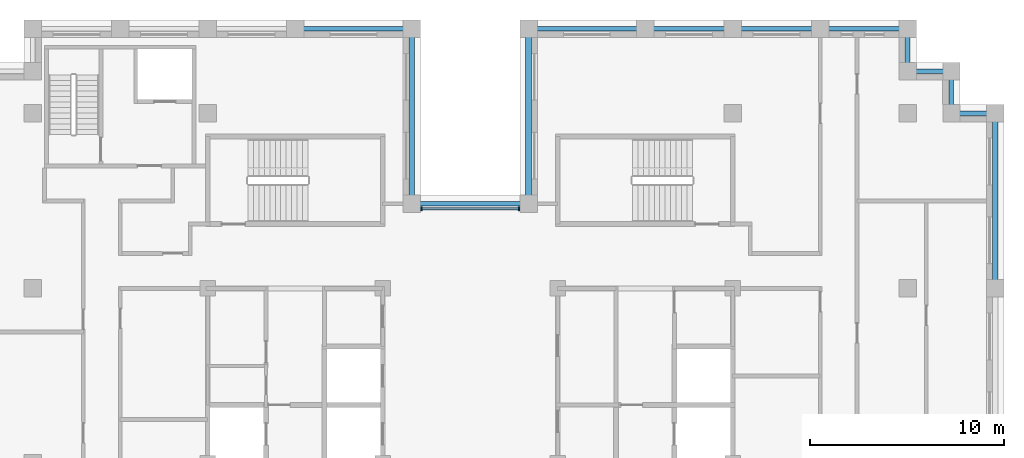
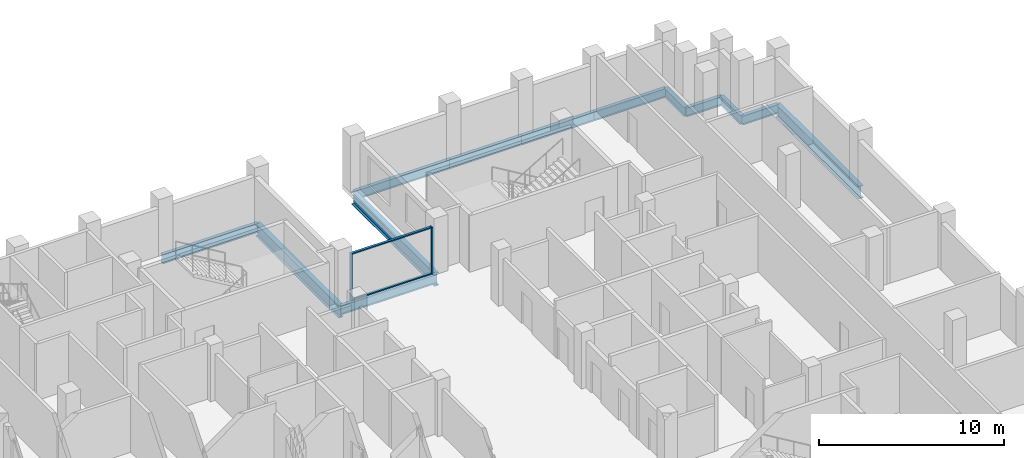
# One storey, part 4 of 13: 13 beams, 4 members, 1 element without a shape of its own.
"""IFC4 building model written with IfcOpenShell, lengths in metres."""

from ifc_helpers import new_model, si_unit, direction, frame, origin, origin_2d, place, context, subcontext, project, spatial, rectangle, i_section, extrude, material, layer, layer_set, material_profile, profile_set, type_object, element, aggregate, save


model = new_model("IFC4")

# Units and contexts
model_context = context("Model", 3, precision=1e-05, world=origin(), true_north=direction((0.0, 1.0)))
body_context = subcontext(model_context, "Body", "Model", "MODEL_VIEW")
ifc_project = project(units=[si_unit("LENGTHUNIT", "METRE"), si_unit("AREAUNIT", "SQUARE_METRE"), si_unit("VOLUMEUNIT", "CUBIC_METRE"), si_unit("PLANEANGLEUNIT", "RADIAN"), si_unit("MASSUNIT", "GRAM", prefix="KILO")], contexts=[model_context])

# Site, building, storey
site_placement = place(None, origin())
site = spatial("IfcSite", under=ifc_project, at=site_placement, CompositionType="ELEMENT")
building_placement = place(site_placement, origin())
building = spatial("IfcBuilding", under=site, at=building_placement, Name="Corbelhall Arena Tower", CompositionType="ELEMENT")
storey_placement = place(building_placement, frame((0.0, 0.0, 246.0)))
storey = spatial("IfcBuildingStorey", under=building, at=storey_placement, Name="L52", CompositionType="ELEMENT", Elevation=246.0)

# Curtain wall, members
ifc_material_1 = material(Name="Aluminium black anodised", Category="aluminium")
ifc_layer = layer(ifc_material_1, 0.199951171875)
ifc_layer_set = layer_set([ifc_layer], Name="EV-CW1 Slot back wall")
curtain_wall_type = type_object("IfcCurtainWallType", Name="EV-CW1 Slot back wall", PredefinedType="NOTDEFINED", material=ifc_layer_set)
curtain_wall_placement = place(storey_placement, origin())
curtain_wall = element("IfcCurtainWall", 1, at=curtain_wall_placement, inside=storey, type_object=curtain_wall_type, Name="Curtain wall CW1", PredefinedType="NOTDEFINED")
ifc_material_profile_1 = material_profile(ifc_material_1, rectangle(XDim=0.199951171875, YDim=0.074951171875, at=origin_2d()))
ifc_profile_set_1 = profile_set([ifc_material_profile_1], Name="Aluminium black anodised")
member_type_1 = type_object("IfcMemberType", Name="EV-CW1-MULLION", PredefinedType="MULLION", material=ifc_profile_set_1)
member_1_placement = place(storey_placement, frame((2.512451171875, 13.10009765625, 0.0), z_axis=(0.0, 0.0, 1.0), x_axis=(0.0, -1.0, 0.0)))
member_1 = element("IfcMember", 2, at=member_1_placement, type_object=member_type_1, Name="CW1 mullion 1", PredefinedType="MULLION", context=body_context, shape_type="SweptSolid", body=[
    extrude(rectangle(XDim=0.199951171875, YDim=0.074951171875, at=origin_2d()), origin(), (0.0, 0.0, 1.0), 3.1201171875),
])
member_2_placement = place(storey_placement, frame((-2.512451171875, 13.10009765625, 0.0), z_axis=(0.0, 0.0, 1.0), x_axis=(0.0, -1.0, 0.0)))
member_2 = element("IfcMember", 3, at=member_2_placement, type_object=member_type_1, Name="CW1 mullion 2", PredefinedType="MULLION", context=body_context, shape_type="SweptSolid", body=[
    extrude(rectangle(XDim=0.199951171875, YDim=0.074951171875, at=origin_2d()), origin(), (0.0, 0.0, 1.0), 3.1201171875),
])
ifc_material_profile_2 = material_profile(ifc_material_1, rectangle(XDim=0.14990234375, YDim=0.074951171875, at=origin_2d()))
ifc_profile_set_2 = profile_set([ifc_material_profile_2], Name="Aluminium black anodised")
member_type_2 = type_object("IfcMemberType", Name="EV-CW1-TRANSOM", PredefinedType="USERDEFINED", material=ifc_profile_set_2)
member_3_placement = place(storey_placement, frame((2.47509765625, 13.10009765625, 0.03759765625), z_axis=(-1.0, 0.0, 0.0), x_axis=(0.0, -1.0, 0.0)))
member_3 = element("IfcMember", 4, at=member_3_placement, type_object=member_type_2, Name="CW1 transom 1.1", ObjectType="transom", PredefinedType="USERDEFINED", context=body_context, shape_type="SweptSolid", body=[
    extrude(rectangle(XDim=0.14990234375, YDim=0.074951171875, at=origin_2d()), origin(), (0.0, 0.0, 1.0), 4.9501953125),
])
member_4_placement = place(storey_placement, frame((2.47509765625, 13.10009765625, 3.08251953125), z_axis=(-1.0, 0.0, 0.0), x_axis=(0.0, -1.0, 0.0)))
member_4 = element("IfcMember", 5, at=member_4_placement, type_object=member_type_2, Name="CW1 transom 1.2", ObjectType="transom", PredefinedType="USERDEFINED", context=body_context, shape_type="SweptSolid", body=[
    extrude(rectangle(XDim=0.14990234375, YDim=0.074951171875, at=origin_2d()), origin(), (0.0, 0.0, 1.0), 4.9501953125),
])
aggregate(curtain_wall, [member_1, member_2, member_3, member_4])

# Beams
ifc_material_2 = material(Name="Steel ASTM A992 Gr50", Category="steel")
ifc_material_profile_3 = material_profile(ifc_material_2, i_section(OverallWidth=0.227783203125, OverallDepth=0.60205078125, WebThickness=0.010498046875, FlangeThickness=0.014892578125, at=origin_2d()))
ifc_profile_set_3 = profile_set([ifc_material_profile_3], Name="Steel ASTM A992 Gr50")
beam_type_1 = type_object("IfcBeamType", Name="ST-SPANDREL-W24x68", PredefinedType="SPANDREL", material=ifc_profile_set_3)
beam_1_placement = place(storey_placement, frame((3.0, 22.35009765625, -0.5810546875), z_axis=(1.0, 0.0, 0.0), x_axis=(0.0, 1.0, 0.0)))
element("IfcBeam", 6, at=beam_1_placement, inside=storey, type_object=beam_type_1, Name="Beam SP 6", PredefinedType="SPANDREL", context=body_context, shape_type="SweptSolid", body=[
    extrude(i_section(OverallWidth=0.227783203125, OverallDepth=0.60205078125, WebThickness=0.010498046875, FlangeThickness=0.014892578125, at=origin_2d()), origin(), (0.0, 0.0, 1.0), 6.0),
])
for number, where, z_axis, x_axis, name in (
    (7, (9.0, 22.35009765625, -0.5810546875), (1.0, 0.0, 0.0), (0.0, 1.0, 0.0), "Beam SP 7"),
    (8, (13.5, 22.35009765625, -0.5810546875), (1.0, 0.0, 0.0), (0.0, 1.0, 0.0), "Beam SP 8"),
    (9, (18.0, 22.35009765625, -0.5810546875), (1.0, 0.0, 0.0), (0.0, 1.0, 0.0), "Beam SP 9"),
):
    element("IfcBeam", number, at=place(storey_placement, frame(where, z_axis=z_axis, x_axis=x_axis)), inside=storey, type_object=beam_type_1, Name=name, PredefinedType="SPANDREL", context=body_context, shape_type="SweptSolid", body=[
        extrude(i_section(OverallWidth=0.227783203125, OverallDepth=0.60205078125, WebThickness=0.010498046875, FlangeThickness=0.014892578125, at=origin_2d()), origin(), (0.0, 0.0, 1.0), 4.5),
    ])
beam_2_placement = place(storey_placement, frame((22.5, 22.35009765625, -0.5810546875), z_axis=(0.0, -1.0, 0.0), x_axis=(1.0, 0.0, 0.0)))
element("IfcBeam", 10, at=beam_2_placement, inside=storey, type_object=beam_type_1, Name="Beam SP 10", PredefinedType="SPANDREL", context=body_context, shape_type="SweptSolid", body=[
    extrude(i_section(OverallWidth=0.227783203125, OverallDepth=0.60205078125, WebThickness=0.010498046875, FlangeThickness=0.014892578125, at=origin_2d()), origin(), (0.0, 0.0, 1.0), 2.175048828125),
])
for number, where, z_axis, x_axis, name in (
    (11, (-9.0, 22.35009765625, -0.5810546875), (1.0, 0.0, 0.0), (0.0, 1.0, 0.0), "Beam SP 12"),
    (12, (-3.0, 13.35009765625, -0.5810546875), (1.0, 0.0, 0.0), (0.0, 1.0, 0.0), "Beam SP 32"),
):
    element("IfcBeam", number, at=place(storey_placement, frame(where, z_axis=z_axis, x_axis=x_axis)), inside=storey, type_object=beam_type_1, Name=name, PredefinedType="SPANDREL", context=body_context, shape_type="SweptSolid", body=[
        extrude(i_section(OverallWidth=0.227783203125, OverallDepth=0.60205078125, WebThickness=0.010498046875, FlangeThickness=0.014892578125, at=origin_2d()), origin(), (0.0, 0.0, 1.0), 6.0),
    ])
beam_3_placement = place(storey_placement, frame((22.5, 20.175048828125, -0.5810546875), z_axis=(1.0, 0.0, 0.0), x_axis=(0.0, 1.0, 0.0)))
element("IfcBeam", 13, at=beam_3_placement, inside=storey, type_object=beam_type_1, Name="Beam SP 35", PredefinedType="SPANDREL", context=body_context, shape_type="SweptSolid", body=[
    extrude(i_section(OverallWidth=0.227783203125, OverallDepth=0.60205078125, WebThickness=0.010498046875, FlangeThickness=0.014892578125, at=origin_2d()), origin(), (0.0, 0.0, 1.0), 2.25),
])
beam_4_placement = place(storey_placement, frame((24.75, 20.175048828125, -0.5810546875), z_axis=(0.0, -1.0, 0.0), x_axis=(1.0, 0.0, 0.0)))
element("IfcBeam", 14, at=beam_4_placement, inside=storey, type_object=beam_type_1, Name="Beam SP 36", PredefinedType="SPANDREL", context=body_context, shape_type="SweptSolid", body=[
    extrude(i_section(OverallWidth=0.227783203125, OverallDepth=0.60205078125, WebThickness=0.010498046875, FlangeThickness=0.014892578125, at=origin_2d()), origin(), (0.0, 0.0, 1.0), 2.175048828125),
])
beam_5_placement = place(storey_placement, frame((24.75, 18.0, -0.5810546875), z_axis=(1.0, 0.0, 0.0), x_axis=(0.0, 1.0, 0.0)))
element("IfcBeam", 15, at=beam_5_placement, inside=storey, type_object=beam_type_1, Name="Beam SP 37", PredefinedType="SPANDREL", context=body_context, shape_type="SweptSolid", body=[
    extrude(i_section(OverallWidth=0.227783203125, OverallDepth=0.60205078125, WebThickness=0.010498046875, FlangeThickness=0.014892578125, at=origin_2d()), origin(), (0.0, 0.0, 1.0), 2.25),
])
ifc_material_profile_4 = material_profile(ifc_material_2, i_section(OverallWidth=0.2919921875, OverallDepth=0.845703125, WebThickness=0.015380859375, FlangeThickness=0.0244140625, at=origin_2d()))
ifc_profile_set_4 = profile_set([ifc_material_profile_4], Name="Steel ASTM A992 Gr50")
beam_type_2 = type_object("IfcBeamType", Name="ST-SPANDREL-W33x141", PredefinedType="SPANDREL", material=ifc_profile_set_4)
for number, where, z_axis, x_axis, name in (
    (16, (27.0, 18.0, -0.702880859375), (0.0, -1.0, 0.0), (1.0, 0.0, 0.0), "Beam SP 3"),
    (17, (-3.0, 22.35009765625, -0.702880859375), (0.0, -1.0, 0.0), (1.0, 0.0, 0.0), "Beam SP 11"),
    (18, (3.0, 13.35009765625, -0.702880859375), (0.0, 1.0, 0.0), (-1.0, 0.0, 0.0), "Beam SP 31"),
):
    element("IfcBeam", number, at=place(storey_placement, frame(where, z_axis=z_axis, x_axis=x_axis)), inside=storey, type_object=beam_type_2, Name=name, PredefinedType="SPANDREL", context=body_context, shape_type="SweptSolid", body=[
        extrude(i_section(OverallWidth=0.2919921875, OverallDepth=0.845703125, WebThickness=0.015380859375, FlangeThickness=0.0244140625, at=origin_2d()), origin(), (0.0, 0.0, 1.0), 9.0),
    ])

save(model, "model.ifc")
